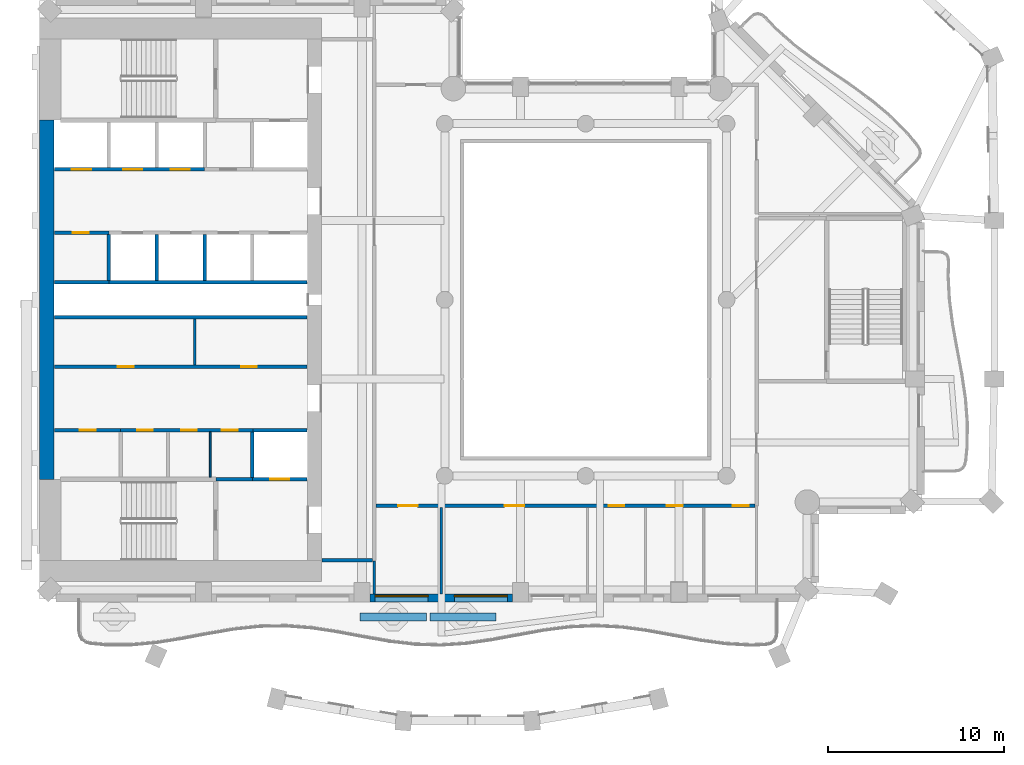
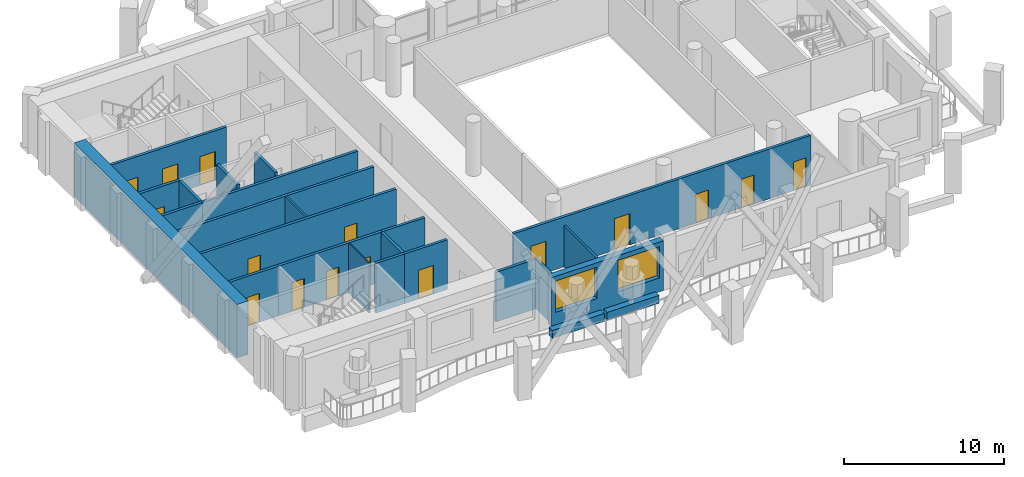
# One storey, part 4 of 17: 25 walls, 16 doors, 2 windows, 18 openings.
"""IFC4 building model written with IfcOpenShell, lengths in metres."""

from ifc_helpers import new_model, si_unit, direction, frame, frame_2d, origin, place, context, subcontext, project, spatial, rectangle, extrude, material, layer, layer_set, type_object, element, fill, save


model = new_model("IFC4")

# Units and contexts
model_context = context("Model", 3, precision=1e-05, world=origin(), true_north=direction((0.0, 1.0)))
body_context = subcontext(model_context, "Body", "Model", "MODEL_VIEW")
ifc_project = project(units=[si_unit("LENGTHUNIT", "METRE"), si_unit("AREAUNIT", "SQUARE_METRE"), si_unit("VOLUMEUNIT", "CUBIC_METRE"), si_unit("PLANEANGLEUNIT", "RADIAN"), si_unit("MASSUNIT", "GRAM", prefix="KILO")], contexts=[model_context])

# Site, building, storey
site_placement = place(None, origin())
site = spatial("IfcSite", under=ifc_project, at=site_placement, CompositionType="ELEMENT")
building_placement = place(site_placement, origin())
building = spatial("IfcBuilding", under=site, at=building_placement, Name="Cypress Arch Tower", CompositionType="ELEMENT")
storey_placement = place(building_placement, frame((0.0, 0.0, 217.89990234375)))
storey = spatial("IfcBuildingStorey", under=building, at=storey_placement, Name="L48", CompositionType="ELEMENT", Elevation=217.89990234375)

# Walls
ifc_material_1 = material(Name="Concrete C40/50, waterproofed", Category="concrete")
ifc_layer_1 = layer(ifc_material_1, 0.449951171875)
ifc_layer_set_1 = layer_set([ifc_layer_1], Name="Balcony planter wall PW450")
wall_type_1 = type_object("IfcWallType", Name="Balcony planter wall PW450", PredefinedType="SOLIDWALL", material=ifc_layer_set_1)
for number, where, z_axis, x_axis, name in (
    (1, (-11.81005859375, -18.0, 0.0), (0.0, 0.0, 1.0), (1.0, 0.0, 0.0), "Balcony planter wall L48-B01.2"),
    (2, (-7.85009765625, -18.0, 0.0), (0.0, 0.0, 1.0), (1.0, 0.0, 0.0), "Balcony planter wall L48-B01.3"),
):
    element("IfcWall", number, at=place(storey_placement, frame(where, z_axis=z_axis, x_axis=x_axis)), inside=storey, type_object=wall_type_1, Name=name, PredefinedType="SOLIDWALL", context=body_context, shape_type="SweptSolid", body=[
        extrude(rectangle(XDim=3.760009765625, YDim=0.449951171875, at=frame_2d((1.8798828125, 0.0))), origin(), (0.0, 0.0, 1.0), 0.60009765625),
    ])

# Wall, openings, windows
ifc_material_2 = material(Name="Brick (red buff blend)", Category="masonry")
ifc_layer_2 = layer(ifc_material_2, 0.449951171875)
ifc_layer_set_2 = layer_set([ifc_layer_2], Name="Brick pier and spandrel wall BW450")
wall_type_2 = type_object("IfcWallType", Name="Brick pier and spandrel wall BW450", PredefinedType="SOLIDWALL", material=ifc_layer_set_2)
wall_1_placement = place(storey_placement, frame((-11.25, -16.925048828125, 0.0), z_axis=(0.0, 0.0, 1.0), x_axis=(1.0, 0.0, 0.0)))
wall_1 = element("IfcWall", 3, at=wall_1_placement, inside=storey, type_object=wall_type_2, Name="Brick wall L48 B01.2", PredefinedType="SOLIDWALL", context=body_context, shape_type="SweptSolid", body=[
    extrude(rectangle(XDim=8.10009765625, YDim=0.449951171875, at=frame_2d((4.050048828125, 0.0))), origin(), (0.0, 0.0, 1.0), 3.800048828125),
])
opening_1_placement = place(wall_1_placement, frame((0.300048828125, 0.0, 1.050048828125)))
opening_1 = element("IfcOpeningElement", 4, at=opening_1_placement, cuts=wall_1, Name="Opening W300OD", PredefinedType="OPENING", context=body_context, shape_type="SweptSolid", body=[
    extrude(rectangle(XDim=3.0, YDim=2.39990234375, at=frame_2d((1.5, 1.199951171875))), frame((0.0, 0.23486328125, 0.0), z_axis=(0.0, -1.0, 0.0), x_axis=(1.0, 0.0, 0.0)), (0.0, 0.0, 1.0), 0.469970703125),
])
opening_2_placement = place(wall_1_placement, frame((4.800048828125, 0.0, 1.050048828125)))
opening_2 = element("IfcOpeningElement", 5, at=opening_2_placement, cuts=wall_1, Name="Opening W300OD", PredefinedType="OPENING", context=body_context, shape_type="SweptSolid", body=[
    extrude(rectangle(XDim=3.0, YDim=2.39990234375, at=frame_2d((1.5, 1.199951171875))), frame((0.0, 0.23486328125, 0.0), z_axis=(0.0, -1.0, 0.0), x_axis=(1.0, 0.0, 0.0)), (0.0, 0.0, 1.0), 0.469970703125),
])
ifc_material_3 = material(Name="Anodised aluminium, bronze finish, laminated low-emissivity double glazing, large-missile impact rated", Category="aluminium")
window_type = type_object("IfcWindowType", Name="Window Office 3000x2400 debris-rated", PartitioningType="SINGLE_PANEL", PredefinedType="WINDOW", material=ifc_material_3)
window_1_placement = place(opening_1_placement, origin())
window_1 = element("IfcWindow", 6, at=window_1_placement, inside=storey, type_object=window_type, Name="Window L48 B01.2.1", OverallHeight=2.39990234375, OverallWidth=3.0, PartitioningType="SINGLE_PANEL", PredefinedType="WINDOW", context=body_context, shape_type="SweptSolid", body=[
    extrude(rectangle(XDim=3.0, YDim=2.39990234375, at=frame_2d((1.5, 1.199951171875))), frame((0.0, 0.135009765625, 0.0), z_axis=(0.0, -1.0, 0.0), x_axis=(1.0, 0.0, 0.0)), (0.0, 0.0, 1.0), 0.06005859375),
])
fill(opening_1, window_1)
window_2_placement = place(opening_2_placement, origin())
window_2 = element("IfcWindow", 7, at=window_2_placement, inside=storey, type_object=window_type, Name="Window L48 B01.2.2", OverallHeight=2.39990234375, OverallWidth=3.0, PartitioningType="SINGLE_PANEL", PredefinedType="WINDOW", context=body_context, shape_type="SweptSolid", body=[
    extrude(rectangle(XDim=3.0, YDim=2.39990234375, at=frame_2d((1.5, 1.199951171875))), frame((0.0, 0.135009765625, 0.0), z_axis=(0.0, -1.0, 0.0), x_axis=(1.0, 0.0, 0.0)), (0.0, 0.0, 1.0), 0.06005859375),
])
fill(opening_2, window_2)

# Wall
ifc_material_4 = material(Name="Concrete C70/85", Category="concrete")
ifc_layer_3 = layer(ifc_material_4, 0.800048828125)
ifc_layer_set_3 = layer_set([ifc_layer_3], Name="Core wall CW800 C70/85")
wall_type_3 = type_object("IfcWallType", Name="Core wall CW800 C70/85", PredefinedType="SHEAR", material=ifc_layer_set_3)
wall_2_placement = place(storey_placement, frame((-29.60009765625, -10.199951171875, 0.0), z_axis=(0.0, 0.0, 1.0), x_axis=(0.0, 1.0, 0.0)))
element("IfcWall", 8, at=wall_2_placement, inside=storey, type_object=wall_type_3, Name="Core wall", PredefinedType="SHEAR", context=body_context, shape_type="SweptSolid", body=[
    extrude(rectangle(XDim=20.39990234375, YDim=0.800048828125, at=frame_2d((10.199951171875, 0.0))), origin(), (0.0, 0.0, 1.0), 4.10009765625),
])

# Wall, openings, doors
ifc_material_5 = material(Name="Concrete blockwork, plastered, rated", Category="masonry")
ifc_layer_4 = layer(ifc_material_5, 0.199951171875)
ifc_layer_set_4 = layer_set([ifc_layer_4], Name="Corridor wall FW200")
wall_type_4 = type_object("IfcWallType", Name="Corridor wall FW200", PredefinedType="PARTITIONING", material=ifc_layer_set_4)
wall_3_placement = place(storey_placement, frame((-29.169921875, -3.800048828125, 0.0), z_axis=(0.0, 0.0, 1.0), x_axis=(1.0, 0.0, 0.0)))
wall_3 = element("IfcWall", 9, at=wall_3_placement, inside=storey, type_object=wall_type_4, Name="Corridor wall", PredefinedType="PARTITIONING", context=body_context, shape_type="SweptSolid", body=[
    extrude(rectangle(XDim=14.33984375, YDim=0.199951171875, at=frame_2d((7.169921875, 0.0))), origin(), (0.0, 0.0, 1.0), 3.800048828125),
])
opening_3_placement = place(wall_3_placement, frame((3.60009765625, 0.0, 0.0)))
opening_3 = element("IfcOpeningElement", 10, at=opening_3_placement, cuts=wall_3, Name="Opening D05", PredefinedType="OPENING", context=body_context, shape_type="SweptSolid", body=[
    extrude(rectangle(XDim=0.89990234375, YDim=2.199951171875, at=frame_2d((0.449951171875, 1.10009765625))), frame((0.0, 0.10986328125, 0.0), z_axis=(0.0, -1.0, 0.0), x_axis=(1.0, 0.0, 0.0)), (0.0, 0.0, 1.0), 0.219970703125),
])
opening_4_placement = place(wall_3_placement, frame((10.60009765625, 0.0, 0.0)))
opening_4 = element("IfcOpeningElement", 11, at=opening_4_placement, cuts=wall_3, Name="Opening D05", PredefinedType="OPENING", context=body_context, shape_type="SweptSolid", body=[
    extrude(rectangle(XDim=0.89990234375, YDim=2.199951171875, at=frame_2d((0.449951171875, 1.10009765625))), frame((0.0, 0.10986328125, 0.0), z_axis=(0.0, -1.0, 0.0), x_axis=(1.0, 0.0, 0.0)), (0.0, 0.0, 1.0), 0.219970703125),
])
ifc_material_6 = material(Name="Timber flush door", Category="wood")
door_type_1 = type_object("IfcDoorType", Name="Service door D05 900x2200", OperationType="SINGLE_SWING_LEFT", PredefinedType="DOOR", material=ifc_material_6)
door_1_placement = place(opening_3_placement, origin())
door_1 = element("IfcDoor", 12, at=door_1_placement, inside=storey, type_object=door_type_1, Name="Service door", OperationType="SINGLE_SWING_LEFT", OverallHeight=2.199951171875, OverallWidth=0.89990234375, PredefinedType="DOOR", context=body_context, shape_type="SweptSolid", body=[
    extrude(rectangle(XDim=0.89990234375, YDim=2.199951171875, at=frame_2d((0.449951171875, 1.10009765625))), frame((0.0, 0.02490234375, 0.0), z_axis=(0.0, -1.0, 0.0), x_axis=(1.0, 0.0, 0.0)), (0.0, 0.0, 1.0), 0.050048828125),
])
fill(opening_3, door_1)
door_2_placement = place(opening_4_placement, origin())
door_2 = element("IfcDoor", 13, at=door_2_placement, inside=storey, type_object=door_type_1, Name="Service door", OperationType="SINGLE_SWING_LEFT", OverallHeight=2.199951171875, OverallWidth=0.89990234375, PredefinedType="DOOR", context=body_context, shape_type="SweptSolid", body=[
    extrude(rectangle(XDim=0.89990234375, YDim=2.199951171875, at=frame_2d((0.449951171875, 1.10009765625))), frame((0.0, 0.02490234375, 0.0), z_axis=(0.0, -1.0, 0.0), x_axis=(1.0, 0.0, 0.0)), (0.0, 0.0, 1.0), 0.050048828125),
])
fill(opening_4, door_2)

wall_4_placement = place(storey_placement, frame((-25.419921875, -7.39990234375, 0.0), z_axis=(0.0, 0.0, 1.0), x_axis=(1.0, 0.0, 0.0)))
wall_4 = element("IfcWall", 14, at=wall_4_placement, inside=storey, type_object=wall_type_4, Name="Corridor wall", PredefinedType="PARTITIONING", context=body_context, shape_type="SweptSolid", body=[
    extrude(rectangle(XDim=7.52001953125, YDim=0.199951171875, at=frame_2d((3.760009765625, 0.0))), origin(), (0.0, 0.0, 1.0), 3.800048828125),
])
opening_5_placement = place(wall_4_placement, frame((0.949951171875, 0.0, 0.0)))
opening_5 = element("IfcOpeningElement", 15, at=opening_5_placement, cuts=wall_4, Name="Opening D05", PredefinedType="OPENING", context=body_context, shape_type="SweptSolid", body=[
    extrude(rectangle(XDim=0.89990234375, YDim=2.199951171875, at=frame_2d((0.449951171875, 1.10009765625))), frame((0.0, 0.10986328125, 0.0), z_axis=(0.0, -1.0, 0.0), x_axis=(1.0, 0.0, 0.0)), (0.0, 0.0, 1.0), 0.219970703125),
])
opening_6_placement = place(wall_4_placement, frame((3.449951171875, 0.0, 0.0)))
opening_6 = element("IfcOpeningElement", 16, at=opening_6_placement, cuts=wall_4, Name="Opening D05", PredefinedType="OPENING", context=body_context, shape_type="SweptSolid", body=[
    extrude(rectangle(XDim=0.89990234375, YDim=2.199951171875, at=frame_2d((0.449951171875, 1.10009765625))), frame((0.0, 0.10986328125, 0.0), z_axis=(0.0, -1.0, 0.0), x_axis=(1.0, 0.0, 0.0)), (0.0, 0.0, 1.0), 0.219970703125),
])
opening_7_placement = place(wall_4_placement, frame((5.75, 0.0, 0.0)))
opening_7 = element("IfcOpeningElement", 17, at=opening_7_placement, cuts=wall_4, Name="Opening D05", PredefinedType="OPENING", context=body_context, shape_type="SweptSolid", body=[
    extrude(rectangle(XDim=0.89990234375, YDim=2.199951171875, at=frame_2d((0.449951171875, 1.10009765625))), frame((0.0, 0.10986328125, 0.0), z_axis=(0.0, -1.0, 0.0), x_axis=(1.0, 0.0, 0.0)), (0.0, 0.0, 1.0), 0.219970703125),
])
door_3_placement = place(opening_5_placement, origin())
door_3 = element("IfcDoor", 18, at=door_3_placement, inside=storey, type_object=door_type_1, Name="Service door", OperationType="SINGLE_SWING_LEFT", OverallHeight=2.199951171875, OverallWidth=0.89990234375, PredefinedType="DOOR", context=body_context, shape_type="SweptSolid", body=[
    extrude(rectangle(XDim=0.89990234375, YDim=2.199951171875, at=frame_2d((0.449951171875, 1.10009765625))), frame((0.0, 0.02490234375, 0.0), z_axis=(0.0, -1.0, 0.0), x_axis=(1.0, 0.0, 0.0)), (0.0, 0.0, 1.0), 0.050048828125),
])
fill(opening_5, door_3)
door_4_placement = place(opening_6_placement, origin())
door_4 = element("IfcDoor", 19, at=door_4_placement, inside=storey, type_object=door_type_1, Name="Service door", OperationType="SINGLE_SWING_RIGHT", OverallHeight=2.199951171875, OverallWidth=0.89990234375, PredefinedType="DOOR", context=body_context, shape_type="SweptSolid", body=[
    extrude(rectangle(XDim=0.89990234375, YDim=2.199951171875, at=frame_2d((0.449951171875, 1.10009765625))), frame((0.0, 0.02490234375, 0.0), z_axis=(0.0, -1.0, 0.0), x_axis=(1.0, 0.0, 0.0)), (0.0, 0.0, 1.0), 0.050048828125),
])
fill(opening_6, door_4)
door_5_placement = place(opening_7_placement, origin())
door_5 = element("IfcDoor", 20, at=door_5_placement, inside=storey, type_object=door_type_1, Name="Service door", OperationType="SINGLE_SWING_RIGHT", OverallHeight=2.199951171875, OverallWidth=0.89990234375, PredefinedType="DOOR", context=body_context, shape_type="SweptSolid", body=[
    extrude(rectangle(XDim=0.89990234375, YDim=2.199951171875, at=frame_2d((0.449951171875, 1.10009765625))), frame((0.0, 0.02490234375, 0.0), z_axis=(0.0, -1.0, 0.0), x_axis=(1.0, 0.0, 0.0)), (0.0, 0.0, 1.0), 0.050048828125),
])
fill(opening_7, door_5)

# Walls
wall_5_placement = place(storey_placement, frame((-20.0, -10.199951171875, 0.0), z_axis=(0.0, 0.0, 1.0), x_axis=(1.0, 0.0, 0.0)))
element("IfcWall", 21, at=wall_5_placement, inside=storey, type_object=wall_type_4, Name="Corridor wall", PredefinedType="PARTITIONING", context=body_context, shape_type="SweptSolid", body=[
    extrude(rectangle(XDim=2.080078125, YDim=0.199951171875, at=frame_2d((1.0400390625, 0.0))), origin(), (0.0, 0.0, 1.0), 3.800048828125),
])
wall_6_placement = place(storey_placement, frame((-13.969970703125, -14.800048828125, 0.0), z_axis=(0.0, 0.0, 1.0), x_axis=(1.0, 0.0, 0.0)))
element("IfcWall", 22, at=wall_6_placement, inside=storey, type_object=wall_type_4, Name="Corridor wall", PredefinedType="PARTITIONING", context=body_context, shape_type="SweptSolid", body=[
    extrude(rectangle(XDim=2.869873046875, YDim=0.199951171875, at=frame_2d((1.43505859375, 0.0))), origin(), (0.0, 0.0, 1.0), 3.800048828125),
])

# Wall, openings, doors
wall_7_placement = place(storey_placement, frame((-10.89990234375, -11.699951171875, 0.0), z_axis=(0.0, 0.0, 1.0), x_axis=(1.0, 0.0, 0.0)))
wall_7 = element("IfcWall", 23, at=wall_7_placement, inside=storey, type_object=wall_type_4, Name="Corridor wall", PredefinedType="PARTITIONING", context=body_context, shape_type="SweptSolid", body=[
    extrude(rectangle(XDim=21.5, YDim=0.199951171875, at=frame_2d((10.75, 0.0))), origin(), (0.0, 0.0, 1.0), 3.800048828125),
])
opening_8_placement = place(wall_7_placement, frame((13.199951171875, 0.0, 0.0)))
opening_8 = element("IfcOpeningElement", 24, at=opening_8_placement, cuts=wall_7, Name="Opening D03", PredefinedType="OPENING", context=body_context, shape_type="SweptSolid", body=[
    extrude(rectangle(XDim=0.89990234375, YDim=2.199951171875, at=frame_2d((0.449951171875, 1.10009765625))), frame((0.0, 0.10986328125, 0.0), z_axis=(0.0, -1.0, 0.0), x_axis=(1.0, 0.0, 0.0)), (0.0, 0.0, 1.0), 0.219970703125),
])
opening_9_placement = place(wall_7_placement, frame((16.5, 0.0, 0.0)))
opening_9 = element("IfcOpeningElement", 25, at=opening_9_placement, cuts=wall_7, Name="Opening D03", PredefinedType="OPENING", context=body_context, shape_type="SweptSolid", body=[
    extrude(rectangle(XDim=0.89990234375, YDim=2.199951171875, at=frame_2d((0.449951171875, 1.10009765625))), frame((0.0, 0.10986328125, 0.0), z_axis=(0.0, -1.0, 0.0), x_axis=(1.0, 0.0, 0.0)), (0.0, 0.0, 1.0), 0.219970703125),
])
opening_10_placement = place(wall_7_placement, frame((20.25, 0.0, 0.0)))
opening_10 = element("IfcOpeningElement", 26, at=opening_10_placement, cuts=wall_7, Name="Opening D03", PredefinedType="OPENING", context=body_context, shape_type="SweptSolid", body=[
    extrude(rectangle(XDim=0.89990234375, YDim=2.199951171875, at=frame_2d((0.449951171875, 1.10009765625))), frame((0.0, 0.10986328125, 0.0), z_axis=(0.0, -1.0, 0.0), x_axis=(1.0, 0.0, 0.0)), (0.0, 0.0, 1.0), 0.219970703125),
])
opening_11_placement = place(wall_7_placement, frame((1.25, 0.0, 0.0)))
opening_11 = element("IfcOpeningElement", 27, at=opening_11_placement, cuts=wall_7, Name="Opening D01", PredefinedType="OPENING", context=body_context, shape_type="SweptSolid", body=[
    extrude(rectangle(XDim=1.10009765625, YDim=2.39990234375, at=frame_2d((0.550048828125, 1.199951171875))), frame((0.0, 0.10986328125, 0.0), z_axis=(0.0, -1.0, 0.0), x_axis=(1.0, 0.0, 0.0)), (0.0, 0.0, 1.0), 0.219970703125),
])
opening_12_placement = place(wall_7_placement, frame((7.300048828125, 0.0, 0.0)))
opening_12 = element("IfcOpeningElement", 28, at=opening_12_placement, cuts=wall_7, Name="Opening D01", PredefinedType="OPENING", context=body_context, shape_type="SweptSolid", body=[
    extrude(rectangle(XDim=1.10009765625, YDim=2.39990234375, at=frame_2d((0.550048828125, 1.199951171875))), frame((0.0, 0.10986328125, 0.0), z_axis=(0.0, -1.0, 0.0), x_axis=(1.0, 0.0, 0.0)), (0.0, 0.0, 1.0), 0.219970703125),
])
ifc_material_7 = material(Name="Timber flush door, moisture resistant", Category="wood")
door_type_2 = type_object("IfcDoorType", Name="Bathroom door D03 900x2200", OperationType="SINGLE_SWING_LEFT", PredefinedType="DOOR", material=ifc_material_7)
door_6_placement = place(opening_8_placement, origin())
door_6 = element("IfcDoor", 29, at=door_6_placement, inside=storey, type_object=door_type_2, Name="Bathroom door", OperationType="SINGLE_SWING_LEFT", OverallHeight=2.199951171875, OverallWidth=0.89990234375, PredefinedType="DOOR", context=body_context, shape_type="SweptSolid", body=[
    extrude(rectangle(XDim=0.89990234375, YDim=2.199951171875, at=frame_2d((0.449951171875, 1.10009765625))), frame((0.0, 0.02490234375, 0.0), z_axis=(0.0, -1.0, 0.0), x_axis=(1.0, 0.0, 0.0)), (0.0, 0.0, 1.0), 0.050048828125),
])
fill(opening_8, door_6)
door_7_placement = place(opening_9_placement, origin())
door_7 = element("IfcDoor", 30, at=door_7_placement, inside=storey, type_object=door_type_2, Name="Bathroom door", OperationType="SINGLE_SWING_LEFT", OverallHeight=2.199951171875, OverallWidth=0.89990234375, PredefinedType="DOOR", context=body_context, shape_type="SweptSolid", body=[
    extrude(rectangle(XDim=0.89990234375, YDim=2.199951171875, at=frame_2d((0.449951171875, 1.10009765625))), frame((0.0, 0.02490234375, 0.0), z_axis=(0.0, -1.0, 0.0), x_axis=(1.0, 0.0, 0.0)), (0.0, 0.0, 1.0), 0.050048828125),
])
fill(opening_9, door_7)
door_8_placement = place(opening_10_placement, origin())
door_8 = element("IfcDoor", 31, at=door_8_placement, inside=storey, type_object=door_type_2, Name="Bathroom door", OperationType="SINGLE_SWING_LEFT", OverallHeight=2.199951171875, OverallWidth=0.89990234375, PredefinedType="DOOR", context=body_context, shape_type="SweptSolid", body=[
    extrude(rectangle(XDim=0.89990234375, YDim=2.199951171875, at=frame_2d((0.449951171875, 1.10009765625))), frame((0.0, 0.02490234375, 0.0), z_axis=(0.0, -1.0, 0.0), x_axis=(1.0, 0.0, 0.0)), (0.0, 0.0, 1.0), 0.050048828125),
])
fill(opening_10, door_8)
ifc_material_8 = material(Name="Timber flush door, fire resisting, self-closing", Category="wood")
door_type_3 = type_object("IfcDoorType", Name="Unit entrance door D01 1100x2400", OperationType="SINGLE_SWING_LEFT", PredefinedType="DOOR", material=ifc_material_8)
door_9_placement = place(opening_11_placement, origin())
door_9 = element("IfcDoor", 32, at=door_9_placement, inside=storey, type_object=door_type_3, Name="Unit entrance door", OperationType="SINGLE_SWING_RIGHT", OverallHeight=2.39990234375, OverallWidth=1.10009765625, PredefinedType="DOOR", context=body_context, shape_type="SweptSolid", body=[
    extrude(rectangle(XDim=1.10009765625, YDim=2.39990234375, at=frame_2d((0.550048828125, 1.199951171875))), frame((0.0, 0.02490234375, 0.0), z_axis=(0.0, -1.0, 0.0), x_axis=(1.0, 0.0, 0.0)), (0.0, 0.0, 1.0), 0.050048828125),
])
fill(opening_11, door_9)
door_10_placement = place(opening_12_placement, origin())
door_10 = element("IfcDoor", 33, at=door_10_placement, inside=storey, type_object=door_type_3, Name="Unit entrance door", OperationType="SINGLE_SWING_RIGHT", OverallHeight=2.39990234375, OverallWidth=1.10009765625, PredefinedType="DOOR", context=body_context, shape_type="SweptSolid", body=[
    extrude(rectangle(XDim=1.10009765625, YDim=2.39990234375, at=frame_2d((0.550048828125, 1.199951171875))), frame((0.0, 0.02490234375, 0.0), z_axis=(0.0, -1.0, 0.0), x_axis=(1.0, 0.0, 0.0)), (0.0, 0.0, 1.0), 0.050048828125),
])
fill(opening_12, door_10)

# Walls
ifc_material_9 = material(Name="Blockwork, plastered both sides", Category="masonry")
ifc_layer_5 = layer(ifc_material_9, 0.14990234375)
ifc_layer_set_5 = layer_set([ifc_layer_5], Name="Partition PW150")
wall_type_5 = type_object("IfcWallType", Name="Partition PW150", PredefinedType="PARTITIONING", material=ifc_layer_set_5)
wall_8_placement = place(storey_placement, frame((-21.199951171875, -3.699951171875, 0.0), z_axis=(0.0, 0.0, 1.0), x_axis=(0.0, 1.0, 0.0)))
element("IfcWall", 34, at=wall_8_placement, inside=storey, type_object=wall_type_5, Name="Partition", PredefinedType="PARTITIONING", context=body_context, shape_type="SweptSolid", body=[
    extrude(rectangle(XDim=2.599853515625, YDim=0.14990234375, at=frame_2d((1.2998046875, 0.0))), origin(), (0.0, 0.0, 1.0), 3.800048828125),
])
wall_9_placement = place(storey_placement, frame((-11.0, -16.699951171875, 0.0), z_axis=(0.0, 0.0, 1.0), x_axis=(0.0, 1.0, 0.0)))
element("IfcWall", 35, at=wall_9_placement, inside=storey, type_object=wall_type_5, Name="Partition", PredefinedType="PARTITIONING", context=body_context, shape_type="SweptSolid", body=[
    extrude(rectangle(XDim=1.8798828125, YDim=0.14990234375, at=frame_2d((0.93994140625, 0.0))), origin(), (0.0, 0.0, 1.0), 3.800048828125),
])
wall_10_placement = place(storey_placement, frame((-7.199951171875, -16.699951171875, 0.0), z_axis=(0.0, 0.0, 1.0), x_axis=(0.0, 1.0, 0.0)))
element("IfcWall", 36, at=wall_10_placement, inside=storey, type_object=wall_type_5, Name="Partition", PredefinedType="PARTITIONING", context=body_context, shape_type="SweptSolid", body=[
    extrude(rectangle(XDim=4.89990234375, YDim=0.14990234375, at=frame_2d((2.449951171875, 0.0))), origin(), (0.0, 0.0, 1.0), 3.150146484375),
])

# Wall, opening, door
ifc_material_10 = material(Name="Reinforced blockwork, plastered, rated", Category="masonry")
ifc_layer_6 = layer(ifc_material_10, 0.199951171875)
ifc_layer_set_6 = layer_set([ifc_layer_6], Name="Plant and riser wall PL200")
wall_type_6 = type_object("IfcWallType", Name="Plant and riser wall PL200", PredefinedType="PARTITIONING", material=ifc_layer_set_6)
wall_11_placement = place(storey_placement, frame((-29.169921875, -7.39990234375, 0.0), z_axis=(0.0, 0.0, 1.0), x_axis=(1.0, 0.0, 0.0)))
wall_11 = element("IfcWall", 37, at=wall_11_placement, inside=storey, type_object=wall_type_6, Name="Plant and riser wall", PredefinedType="PARTITIONING", context=body_context, shape_type="SweptSolid", body=[
    extrude(rectangle(XDim=3.75, YDim=0.199951171875, at=frame_2d((1.875, 0.0))), origin(), (0.0, 0.0, 1.0), 3.800048828125),
])
opening_13_placement = place(wall_11_placement, frame((1.449951171875, 0.0, 0.0)))
opening_13 = element("IfcOpeningElement", 38, at=opening_13_placement, cuts=wall_11, Name="Opening D05", PredefinedType="OPENING", context=body_context, shape_type="SweptSolid", body=[
    extrude(rectangle(XDim=0.89990234375, YDim=2.199951171875, at=frame_2d((0.449951171875, 1.10009765625))), frame((0.0, 0.10986328125, 0.0), z_axis=(0.0, -1.0, 0.0), x_axis=(1.0, 0.0, 0.0)), (0.0, 0.0, 1.0), 0.219970703125),
])
door_11_placement = place(opening_13_placement, origin())
door_11 = element("IfcDoor", 39, at=door_11_placement, inside=storey, type_object=door_type_1, Name="Service door", OperationType="SINGLE_SWING_LEFT", OverallHeight=2.199951171875, OverallWidth=0.89990234375, PredefinedType="DOOR", context=body_context, shape_type="SweptSolid", body=[
    extrude(rectangle(XDim=0.89990234375, YDim=2.199951171875, at=frame_2d((0.449951171875, 1.10009765625))), frame((0.0, 0.02490234375, 0.0), z_axis=(0.0, -1.0, 0.0), x_axis=(1.0, 0.0, 0.0)), (0.0, 0.0, 1.0), 0.050048828125),
])
fill(opening_13, door_11)

# Walls
wall_12_placement = place(storey_placement, frame((-29.169921875, -1.0, 0.0), z_axis=(0.0, 0.0, 1.0), x_axis=(1.0, 0.0, 0.0)))
element("IfcWall", 40, at=wall_12_placement, inside=storey, type_object=wall_type_6, Name="Plant and riser wall", PredefinedType="PARTITIONING", context=body_context, shape_type="SweptSolid", body=[
    extrude(rectangle(XDim=14.33984375, YDim=0.199951171875, at=frame_2d((7.169921875, 0.0))), origin(), (0.0, 0.0, 1.0), 3.800048828125),
])
wall_13_placement = place(storey_placement, frame((-29.169921875, 1.0, 0.0), z_axis=(0.0, 0.0, 1.0), x_axis=(1.0, 0.0, 0.0)))
element("IfcWall", 41, at=wall_13_placement, inside=storey, type_object=wall_type_6, Name="Plant and riser wall", PredefinedType="PARTITIONING", context=body_context, shape_type="SweptSolid", body=[
    extrude(rectangle(XDim=3.08984375, YDim=0.199951171875, at=frame_2d((1.544921875, 0.0))), origin(), (0.0, 0.0, 1.0), 3.800048828125),
])

# Wall, opening, door
wall_14_placement = place(storey_placement, frame((-29.169921875, 3.800048828125, 0.0), z_axis=(0.0, 0.0, 1.0), x_axis=(1.0, 0.0, 0.0)))
wall_14 = element("IfcWall", 42, at=wall_14_placement, inside=storey, type_object=wall_type_6, Name="Plant and riser wall", PredefinedType="PARTITIONING", context=body_context, shape_type="SweptSolid", body=[
    extrude(rectangle(XDim=3.08984375, YDim=0.199951171875, at=frame_2d((1.544921875, 0.0))), origin(), (0.0, 0.0, 1.0), 3.800048828125),
])
opening_14_placement = place(wall_14_placement, frame((1.050048828125, 0.0, 0.0)))
opening_14 = element("IfcOpeningElement", 43, at=opening_14_placement, cuts=wall_14, Name="Opening D05", PredefinedType="OPENING", context=body_context, shape_type="SweptSolid", body=[
    extrude(rectangle(XDim=0.89990234375, YDim=2.199951171875, at=frame_2d((0.449951171875, 1.10009765625))), frame((0.0, 0.10986328125, 0.0), z_axis=(0.0, -1.0, 0.0), x_axis=(1.0, 0.0, 0.0)), (0.0, 0.0, 1.0), 0.219970703125),
])
door_12_placement = place(opening_14_placement, origin())
door_12 = element("IfcDoor", 44, at=door_12_placement, inside=storey, type_object=door_type_1, Name="Service door", OperationType="SINGLE_SWING_LEFT", OverallHeight=2.199951171875, OverallWidth=0.89990234375, PredefinedType="DOOR", context=body_context, shape_type="SweptSolid", body=[
    extrude(rectangle(XDim=0.89990234375, YDim=2.199951171875, at=frame_2d((0.449951171875, 1.10009765625))), frame((0.0, 0.02490234375, 0.0), z_axis=(0.0, -1.0, 0.0), x_axis=(1.0, 0.0, 0.0)), (0.0, 0.0, 1.0), 0.050048828125),
])
fill(opening_14, door_12)

# Wall, openings, doors
ifc_material_11 = material(Name="Concrete C50/60", Category="concrete")
ifc_layer_7 = layer(ifc_material_11, 0.199951171875)
ifc_layer_set_7 = layer_set([ifc_layer_7], Name="Shaft wall SH200")
wall_type_7 = type_object("IfcWallType", Name="Shaft wall SH200", PredefinedType="SHEAR", material=ifc_layer_set_7)
wall_15_placement = place(storey_placement, frame((-29.169921875, 7.39990234375, 0.0), z_axis=(0.0, 0.0, 1.0), x_axis=(1.0, 0.0, 0.0)))
wall_15 = element("IfcWall", 45, at=wall_15_placement, inside=storey, type_object=wall_type_7, Name="Shaft wall", PredefinedType="SHEAR", context=body_context, shape_type="SweptSolid", body=[
    extrude(rectangle(XDim=8.530029296875, YDim=0.199951171875, at=frame_2d((4.26513671875, 0.0))), origin(), (0.0, 0.0, 1.0), 3.800048828125),
])
opening_15_placement = place(wall_15_placement, frame((1.0, 0.0, 0.0)))
opening_15 = element("IfcOpeningElement", 46, at=opening_15_placement, cuts=wall_15, Name="Opening LD-HR5", PredefinedType="OPENING", context=body_context, shape_type="SweptSolid", body=[
    extrude(rectangle(XDim=1.10009765625, YDim=2.199951171875, at=frame_2d((0.550048828125, 1.10009765625))), frame((0.0, 0.10986328125, 0.0), z_axis=(0.0, -1.0, 0.0), x_axis=(1.0, 0.0, 0.0)), (0.0, 0.0, 1.0), 0.219970703125),
])
opening_16_placement = place(wall_15_placement, frame((3.89990234375, 0.0, 0.0)))
opening_16 = element("IfcOpeningElement", 47, at=opening_16_placement, cuts=wall_15, Name="Opening LD-HR6", PredefinedType="OPENING", context=body_context, shape_type="SweptSolid", body=[
    extrude(rectangle(XDim=1.10009765625, YDim=2.199951171875, at=frame_2d((0.550048828125, 1.10009765625))), frame((0.0, 0.10986328125, 0.0), z_axis=(0.0, -1.0, 0.0), x_axis=(1.0, 0.0, 0.0)), (0.0, 0.0, 1.0), 0.219970703125),
])
opening_17_placement = place(wall_15_placement, frame((6.60009765625, 0.0, 0.0)))
opening_17 = element("IfcOpeningElement", 48, at=opening_17_placement, cuts=wall_15, Name="Opening LD-HR7", PredefinedType="OPENING", context=body_context, shape_type="SweptSolid", body=[
    extrude(rectangle(XDim=1.10009765625, YDim=2.199951171875, at=frame_2d((0.550048828125, 1.10009765625))), frame((0.0, 0.10986328125, 0.0), z_axis=(0.0, -1.0, 0.0), x_axis=(1.0, 0.0, 0.0)), (0.0, 0.0, 1.0), 0.219970703125),
])
ifc_material_12 = material(Name="Stainless steel centre-opening landing door, rated", Category="steel")
door_type_4 = type_object("IfcDoorType", Name="Lift landing door LD 1100x2200", OperationType="DOUBLE_DOOR_SLIDING", PredefinedType="DOOR", material=ifc_material_12)
door_13_placement = place(opening_15_placement, origin())
door_13 = element("IfcDoor", 49, at=door_13_placement, inside=storey, type_object=door_type_4, Name="Lift landing doors HR5", OperationType="DOUBLE_DOOR_SLIDING", OverallHeight=2.199951171875, OverallWidth=1.10009765625, PredefinedType="DOOR", context=body_context, shape_type="SweptSolid", body=[
    extrude(rectangle(XDim=1.10009765625, YDim=2.199951171875, at=frame_2d((0.550048828125, 1.10009765625))), frame((0.0, 0.02490234375, 0.0), z_axis=(0.0, -1.0, 0.0), x_axis=(1.0, 0.0, 0.0)), (0.0, 0.0, 1.0), 0.050048828125),
])
fill(opening_15, door_13)
door_14_placement = place(opening_16_placement, origin())
door_14 = element("IfcDoor", 50, at=door_14_placement, inside=storey, type_object=door_type_4, Name="Lift landing doors HR6", OperationType="DOUBLE_DOOR_SLIDING", OverallHeight=2.199951171875, OverallWidth=1.10009765625, PredefinedType="DOOR", context=body_context, shape_type="SweptSolid", body=[
    extrude(rectangle(XDim=1.10009765625, YDim=2.199951171875, at=frame_2d((0.550048828125, 1.10009765625))), frame((0.0, 0.02490234375, 0.0), z_axis=(0.0, -1.0, 0.0), x_axis=(1.0, 0.0, 0.0)), (0.0, 0.0, 1.0), 0.050048828125),
])
fill(opening_16, door_14)
door_15_placement = place(opening_17_placement, origin())
door_15 = element("IfcDoor", 51, at=door_15_placement, inside=storey, type_object=door_type_4, Name="Lift landing doors HR7", OperationType="DOUBLE_DOOR_SLIDING", OverallHeight=2.199951171875, OverallWidth=1.10009765625, PredefinedType="DOOR", context=body_context, shape_type="SweptSolid", body=[
    extrude(rectangle(XDim=1.10009765625, YDim=2.199951171875, at=frame_2d((0.550048828125, 1.10009765625))), frame((0.0, 0.02490234375, 0.0), z_axis=(0.0, -1.0, 0.0), x_axis=(1.0, 0.0, 0.0)), (0.0, 0.0, 1.0), 0.050048828125),
])
fill(opening_17, door_15)

# Walls
wall_16_placement = place(storey_placement, frame((-26.080078125, 1.10009765625, 0.0), z_axis=(0.0, 0.0, 1.0), x_axis=(0.0, 1.0, 0.0)))
element("IfcWall", 52, at=wall_16_placement, inside=storey, type_object=wall_type_7, Name="Shaft wall", PredefinedType="SHEAR", context=body_context, shape_type="SweptSolid", body=[
    extrude(rectangle(XDim=2.599853515625, YDim=0.199951171875, at=frame_2d((1.2998046875, 0.0))), origin(), (0.0, 0.0, 1.0), 3.800048828125),
])
wall_17_placement = place(storey_placement, frame((-26.080078125, 1.0, 0.0), z_axis=(0.0, 0.0, 1.0), x_axis=(1.0, 0.0, 0.0)))
element("IfcWall", 53, at=wall_17_placement, inside=storey, type_object=wall_type_7, Name="Shaft wall", PredefinedType="SHEAR", context=body_context, shape_type="SweptSolid", body=[
    extrude(rectangle(XDim=11.25, YDim=0.199951171875, at=frame_2d((5.625, 0.0))), origin(), (0.0, 0.0, 1.0), 3.800048828125),
])
for number, where, z_axis, x_axis, name in (
    (54, (-23.360107421875, 1.10009765625, 0.0), (0.0, 0.0, 1.0), (0.0, 1.0, 0.0), "Shaft wall"),
    (55, (-20.639892578125, 1.10009765625, 0.0), (0.0, 0.0, 1.0), (0.0, 1.0, 0.0), "Shaft wall"),
):
    element("IfcWall", number, at=place(storey_placement, frame(where, z_axis=z_axis, x_axis=x_axis)), inside=storey, type_object=wall_type_7, Name=name, PredefinedType="SHEAR", context=body_context, shape_type="SweptSolid", body=[
        extrude(rectangle(XDim=2.599853515625, YDim=0.199951171875, at=frame_2d((1.2998046875, 0.0))), origin(), (0.0, 0.0, 1.0), 4.10009765625),
    ])
wall_18_placement = place(storey_placement, frame((-17.919921875, -10.10009765625, 0.0), z_axis=(0.0, 0.0, 1.0), x_axis=(0.0, 1.0, 0.0)))
element("IfcWall", 56, at=wall_18_placement, inside=storey, type_object=wall_type_7, Name="Shaft wall", PredefinedType="SHEAR", context=body_context, shape_type="SweptSolid", body=[
    extrude(rectangle(XDim=2.60009765625, YDim=0.199951171875, at=frame_2d((1.300048828125, 0.0))), origin(), (0.0, 0.0, 1.0), 3.800048828125),
])

# Wall, opening, door
wall_19_placement = place(storey_placement, frame((-17.919921875, -10.199951171875, 0.0), z_axis=(0.0, 0.0, 1.0), x_axis=(1.0, 0.0, 0.0)))
wall_19 = element("IfcWall", 57, at=wall_19_placement, inside=storey, type_object=wall_type_7, Name="Shaft wall", PredefinedType="SHEAR", context=body_context, shape_type="SweptSolid", body=[
    extrude(rectangle(XDim=3.08984375, YDim=0.199951171875, at=frame_2d((1.544921875, 0.0))), origin(), (0.0, 0.0, 1.0), 3.800048828125),
])
opening_18_placement = place(wall_19_placement, frame((1.0, 0.0, 0.0)))
opening_18 = element("IfcOpeningElement", 58, at=opening_18_placement, cuts=wall_19, Name="Opening LD-FL1", PredefinedType="OPENING", context=body_context, shape_type="SweptSolid", body=[
    extrude(rectangle(XDim=1.10009765625, YDim=2.199951171875, at=frame_2d((0.550048828125, 1.10009765625))), frame((0.0, 0.10986328125, 0.0), z_axis=(0.0, -1.0, 0.0), x_axis=(1.0, 0.0, 0.0)), (0.0, 0.0, 1.0), 0.219970703125),
])
door_16_placement = place(opening_18_placement, origin())
door_16 = element("IfcDoor", 59, at=door_16_placement, inside=storey, type_object=door_type_4, Name="Lift landing doors FL1", OperationType="DOUBLE_DOOR_SLIDING", OverallHeight=2.199951171875, OverallWidth=1.10009765625, PredefinedType="DOOR", context=body_context, shape_type="SweptSolid", body=[
    extrude(rectangle(XDim=1.10009765625, YDim=2.199951171875, at=frame_2d((0.550048828125, 1.10009765625))), frame((0.0, 0.02490234375, 0.0), z_axis=(0.0, -1.0, 0.0), x_axis=(1.0, 0.0, 0.0)), (0.0, 0.0, 1.0), 0.050048828125),
])
fill(opening_18, door_16)

# Walls
wall_20_placement = place(storey_placement, frame((-17.89990234375, -7.39990234375, 0.0), z_axis=(0.0, 0.0, 1.0), x_axis=(1.0, 0.0, 0.0)))
element("IfcWall", 60, at=wall_20_placement, inside=storey, type_object=wall_type_7, Name="Shaft wall", PredefinedType="SHEAR", context=body_context, shape_type="SweptSolid", body=[
    extrude(rectangle(XDim=3.06982421875, YDim=0.199951171875, at=frame_2d((1.534912109375, 0.0))), origin(), (0.0, 0.0, 1.0), 3.800048828125),
])
ifc_material_13 = material(Name="Moisture resistant board on steel studs, tiled", Category="steel")
ifc_layer_8 = layer(ifc_material_13, 0.10009765625)
ifc_layer_set_8 = layer_set([ifc_layer_8], Name="Wet wall PW100")
wall_type_8 = type_object("IfcWallType", Name="Wet wall PW100", PredefinedType="PARTITIONING", material=ifc_layer_set_8)
wall_21_placement = place(storey_placement, frame((-20.320068359375, -10.074951171875, 0.0), z_axis=(0.0, 0.0, 1.0), x_axis=(0.0, 1.0, 0.0)))
element("IfcWall", 61, at=wall_21_placement, inside=storey, type_object=wall_type_8, Name="Wet wall", PredefinedType="PARTITIONING", context=body_context, shape_type="SweptSolid", body=[
    extrude(rectangle(XDim=2.574951171875, YDim=0.10009765625, at=frame_2d((1.28759765625, 0.0))), origin(), (0.0, 0.0, 1.0), 3.800048828125),
])

save(model, "model.ifc")
